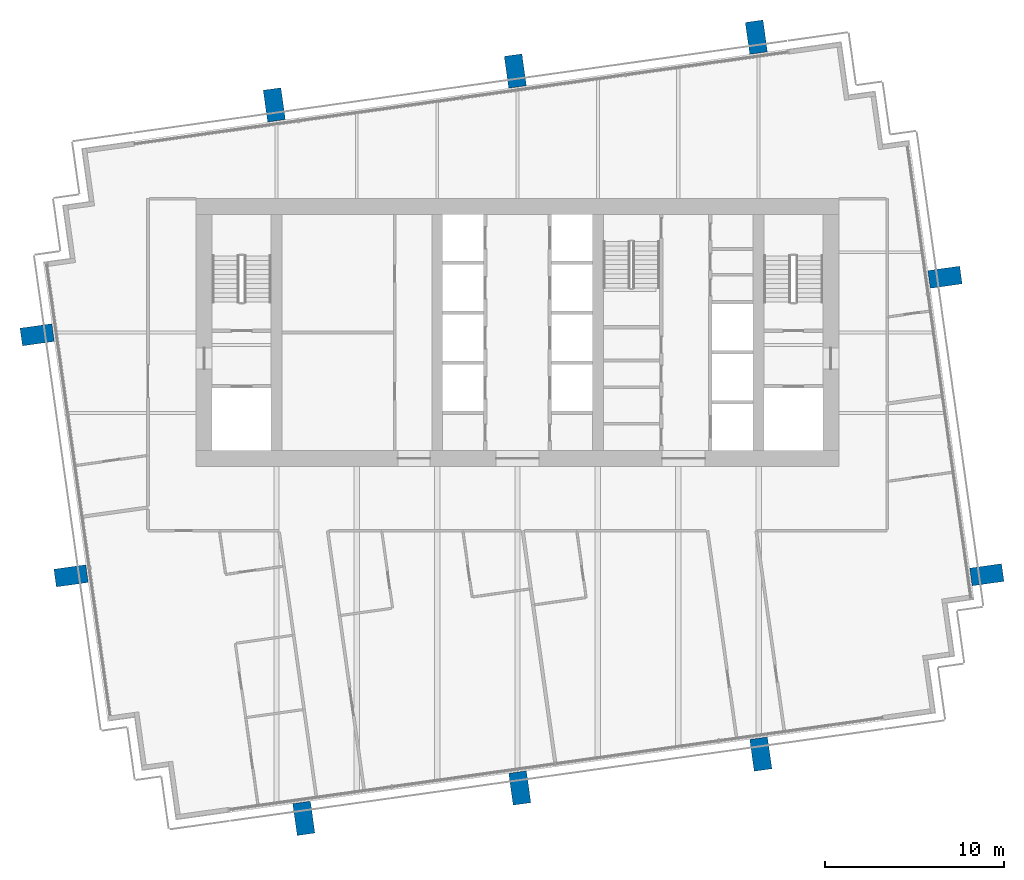
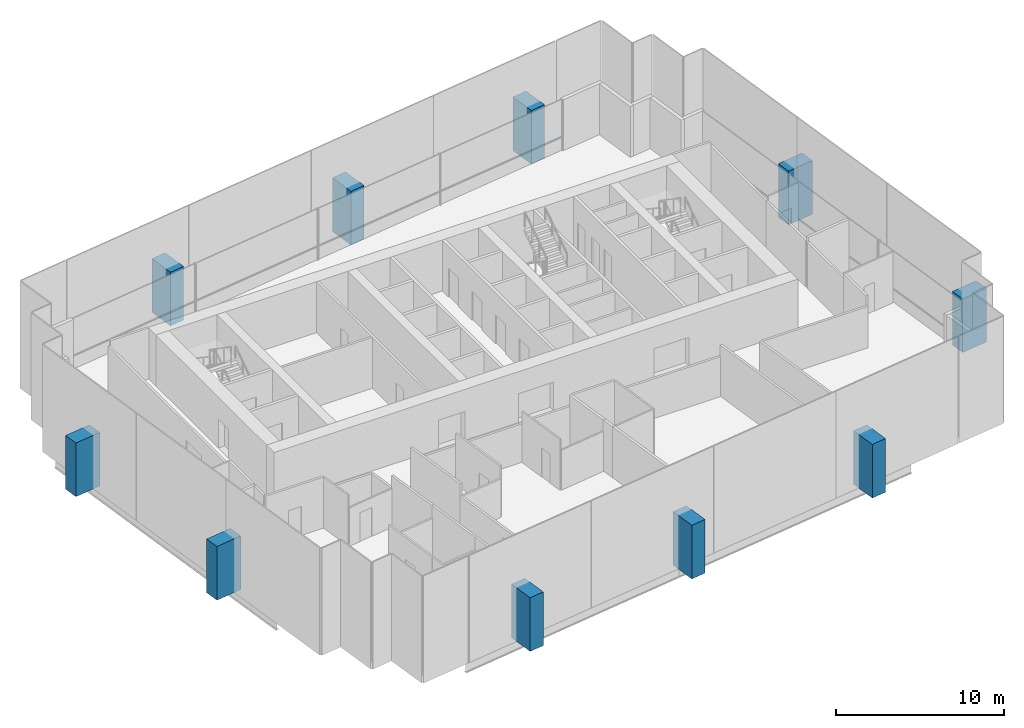
# One storey, part 1 of 15: 10 columns.
"""IFC4 building model written with IfcOpenShell, lengths in metres."""

from ifc_helpers import new_model, si_unit, direction, frame, origin, origin_2d, place, context, subcontext, project, spatial, rectangle, extrude, material, material_profile, profile_set, type_object, element, save


model = new_model("IFC4")

# Units and contexts
model_context = context("Model", 3, precision=1e-05, world=origin(), true_north=direction((0.0, 1.0)))
body_context = subcontext(model_context, "Body", "Model", "MODEL_VIEW")
ifc_project = project(units=[si_unit("LENGTHUNIT", "METRE"), si_unit("AREAUNIT", "SQUARE_METRE"), si_unit("VOLUMEUNIT", "CUBIC_METRE"), si_unit("PLANEANGLEUNIT", "RADIAN"), si_unit("MASSUNIT", "GRAM", prefix="KILO")], contexts=[model_context])

# Site, building, storey
site_placement = place(None, origin())
site = spatial("IfcSite", under=ifc_project, at=site_placement, CompositionType="ELEMENT")
building_placement = place(site_placement, origin())
building = spatial("IfcBuilding", under=site, at=building_placement, Name="Rattan Terrace Tower", CompositionType="ELEMENT")
storey_placement = place(building_placement, frame((0.0, 0.0, 266.800048828125)))
storey = spatial("IfcBuildingStorey", under=building, at=storey_placement, Name="L61", CompositionType="ELEMENT", Elevation=266.800048828125)

# Columns
ifc_material = material(Name="Concrete C40/50", Category="concrete")
ifc_material_profile = material_profile(ifc_material, rectangle(XDim=1.0, YDim=1.800048828125, at=origin_2d()), Name="CFT 1800x1000")
ifc_profile_set = profile_set([ifc_material_profile], Name="Concrete C40/50")
column_type = type_object("IfcColumnType", Name="Frame exoskeleton column CFT 1800x1000", PredefinedType="COLUMN", material=ifc_profile_set)
for number, where, z_axis, x_axis, name in (
    (1, (-11.970947265625, -27.208984375, -0.199951171875), (0.0, 0.0, 1.0), (0.990265639562, 0.139190384377, 0.0), "exo-L61-001"),
    (2, (0.125, -25.508056640625, -0.199951171875), (0.0, 0.0, 1.0), (0.990265639562, 0.139190384377, 0.0), "exo-L61-002"),
    (3, (13.625, -23.610107421875, -0.199951171875), (0.0, 0.0, 1.0), (0.990265639562, 0.139190384377, 0.0), "exo-L61-003"),
    (4, (-25.007080078125, -13.625, -0.199951171875), (0.0, 0.0, 1.0), (-0.139190384377, 0.990265639562, 0.0), "exo-L61-004"),
    (5, (26.283935546875, -13.56494140625, -0.199951171875), (0.0, 0.0, 1.0), (-0.139190384377, 0.990265639562, 0.0), "exo-L61-005"),
    (6, (-26.906005859375, -0.125, -0.199951171875), (0.0, 0.0, 1.0), (-0.139190384377, 0.990265639562, 0.0), "exo-L61-006"),
    (7, (23.94091796875, 3.10009765625, -0.199951171875), (0.0, 0.0, 1.0), (-0.139190384377, 0.990265639562, 0.0), "exo-L61-007"),
    (8, (-13.625, 12.7509765625, -0.199951171875), (0.0, 0.0, 1.0), (0.990265639562, 0.139190384377, 0.0), "exo-L61-008"),
    (9, (-0.125, 14.64794921875, -0.199951171875), (0.0, 0.0, 1.0), (0.990265639562, 0.139190384377, 0.0), "exo-L61-009"),
    (10, (13.375, 16.5458984375, -0.199951171875), (0.0, 0.0, 1.0), (0.990265639562, 0.139190384377, 0.0), "exo-L61-010"),
):
    element("IfcColumn", number, at=place(storey_placement, frame(where, z_axis=z_axis, x_axis=x_axis)), inside=storey, type_object=column_type, Name=name, PredefinedType="COLUMN", context=body_context, shape_type="SweptSolid", body=[
        extrude(rectangle(XDim=1.0, YDim=1.800048828125, at=origin_2d()), origin(), (0.0, 0.0, 1.0), 3.89990234375),
    ])

save(model, "model.ifc")
